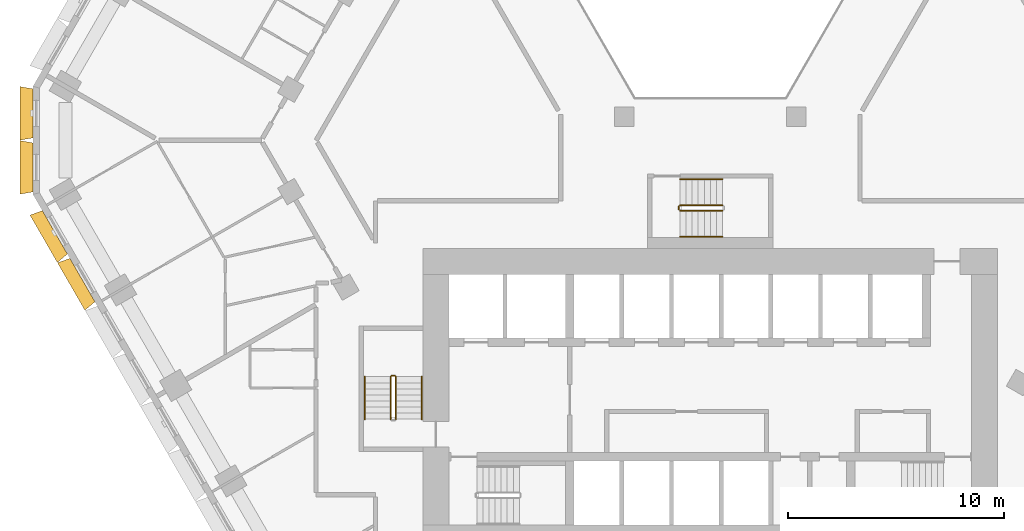
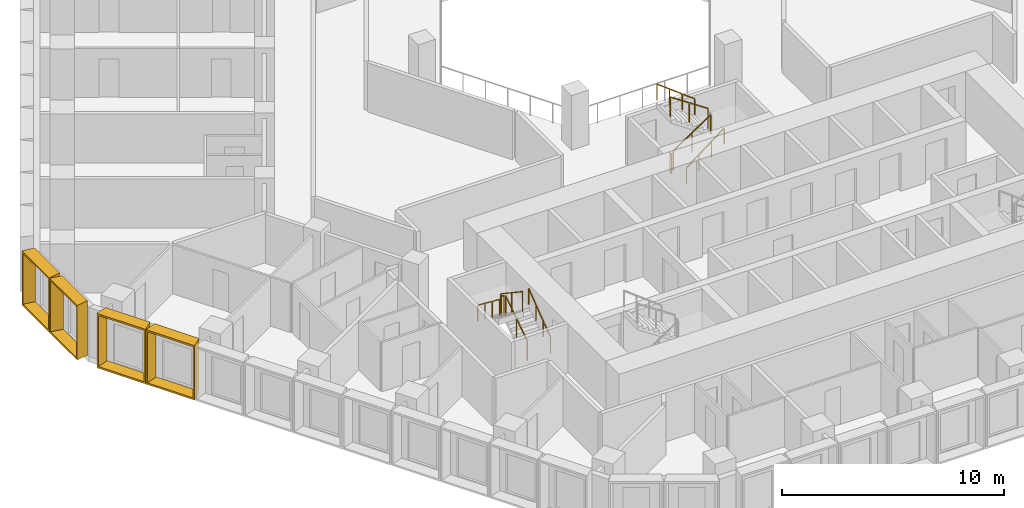
# One storey, part 19 of 21: 10 railings, 4 shading devices.
"""IFC4 building model written with IfcOpenShell, lengths in metres."""

from ifc_helpers import new_model, entity, si_unit, direction, frame, origin, origin_2d, place, context, subcontext, project, spatial, rectangle, extrude, source, transform, mapped, material, type_object, type_shapes, element, save


model = new_model("IFC4")

# Units and contexts
model_context = context("Model", 3, precision=1e-05, world=origin(), true_north=direction((0.0, 1.0)))
body_context = subcontext(model_context, "Body", "Model", "MODEL_VIEW")
ifc_project = project(units=[si_unit("LENGTHUNIT", "METRE"), si_unit("AREAUNIT", "SQUARE_METRE"), si_unit("VOLUMEUNIT", "CUBIC_METRE"), si_unit("PLANEANGLEUNIT", "RADIAN"), si_unit("MASSUNIT", "GRAM", prefix="KILO")], contexts=[model_context])

# Site, building, storey
site_placement = place(None, origin())
site = spatial("IfcSite", under=ifc_project, at=site_placement, CompositionType="ELEMENT")
building_placement = place(site_placement, origin())
building = spatial("IfcBuilding", under=site, at=building_placement, Name="Beryl Residences", CompositionType="ELEMENT")
storey_placement = place(building_placement, frame((0.0, 0.0, 53.39990234375)))
storey = spatial("IfcBuildingStorey", under=building, at=storey_placement, Name="L16", CompositionType="ELEMENT", Elevation=53.39990234375)

# Shading devices
ifc_material_1 = material(Name="Aluminium pale anodised", Category="aluminium")
shading_device_type_1 = type_object("IfcShadingDeviceType", Name="FR250-60A OUTER SKIN frame 600 mm deep, splay 10/10 deg, 2500 x 3000 mm cell", PredefinedType="USERDEFINED", material=ifc_material_1)
cartesian_point_1 = entity("IfcCartesianPoint", [-1.134033203125, 0.0])
cartesian_point_2 = entity("IfcCartesianPoint", [-1.052734375, 0.10009765625])
cartesian_point_3 = entity("IfcCartesianPoint", [-1.23974609375, 0.0])
cartesian_point_4 = entity("IfcCartesianPoint", [-1.158447265625, 0.10009765625])
shared_shape_1 = source(origin(), body_context, "Body", "SweptSolid", [
    entity("IfcExtrudedAreaSolidTapered", entity("IfcArbitraryProfileDefWithVoids", "AREA", None, entity("IfcPolyline", [cartesian_point_1, entity("IfcCartesianPoint", [1.134033203125, 0.0]), entity("IfcCartesianPoint", [1.134033203125, 3.0]), entity("IfcCartesianPoint", [-1.134033203125, 3.0]), cartesian_point_1]), [entity("IfcPolyline", [cartesian_point_2, entity("IfcCartesianPoint", [1.052734375, 0.10009765625]), entity("IfcCartesianPoint", [1.052734375, 2.89990234375]), entity("IfcCartesianPoint", [-1.052734375, 2.89990234375]), cartesian_point_2])]), entity("IfcAxis2Placement3D", entity("IfcCartesianPoint", [0.0, 0.0, 0.0]), entity("IfcDirection", [0.0, 1.0, 0.0]), entity("IfcDirection", [-1.0, 0.0, 0.0])), entity("IfcDirection", [0.0, 0.0, 1.0]), 0.60009765625, entity("IfcArbitraryProfileDefWithVoids", "AREA", None, entity("IfcPolyline", [cartesian_point_3, entity("IfcCartesianPoint", [1.23974609375, 0.0]), entity("IfcCartesianPoint", [1.23974609375, 3.0]), entity("IfcCartesianPoint", [-1.23974609375, 3.0]), cartesian_point_3]), [entity("IfcPolyline", [cartesian_point_4, entity("IfcCartesianPoint", [1.158447265625, 0.10009765625]), entity("IfcCartesianPoint", [1.158447265625, 2.89990234375]), entity("IfcCartesianPoint", [-1.158447265625, 2.89990234375]), cartesian_point_4])])),
])
type_shapes(shading_device_type_1, [shared_shape_1])
for number, where, z_axis, x_axis, name in (
    (1, (-31.35009765625, 1.25, 0.0), (0.0, 0.0, 1.0), (0.0, 1.0, 0.0), "FR250-60A frame L16 NW-SW 1"),
    (2, (-31.35009765625, -1.25, 0.0), (0.0, 0.0, 1.0), (0.0, 1.0, 0.0), "FR250-60A frame L16 NW-SW 2"),
):
    element("IfcShadingDevice", number, at=place(storey_placement, frame(where, z_axis=z_axis, x_axis=x_axis)), inside=storey, type_object=shading_device_type_1, Name=name, ObjectType="OUTER SKIN", PredefinedType="USERDEFINED", context=body_context, shape_type="MappedRepresentation", body=[
        mapped(shared_shape_1, transform((0.0, 0.0, 0.0))),
    ])
ifc_material_2 = material(Name="Aluminium pale anodised", Category="aluminium")
shading_device_type_2 = type_object("IfcShadingDeviceType", Name="FR255-60A OUTER SKIN frame 600 mm deep, splay 10/10 deg, 2550 x 3000 mm cell", PredefinedType="USERDEFINED", material=ifc_material_2)
cartesian_point_5 = entity("IfcCartesianPoint", [-1.158935546875, 0.0])
cartesian_point_6 = entity("IfcCartesianPoint", [-1.077880859375, 0.10009765625])
cartesian_point_7 = entity("IfcCartesianPoint", [-1.264892578125, 0.0])
cartesian_point_8 = entity("IfcCartesianPoint", [-1.18359375, 0.10009765625])
shared_shape_2 = source(origin(), body_context, "Body", "SweptSolid", [
    entity("IfcExtrudedAreaSolidTapered", entity("IfcArbitraryProfileDefWithVoids", "AREA", None, entity("IfcPolyline", [cartesian_point_5, entity("IfcCartesianPoint", [1.158935546875, 0.0]), entity("IfcCartesianPoint", [1.158935546875, 3.0]), entity("IfcCartesianPoint", [-1.158935546875, 3.0]), cartesian_point_5]), [entity("IfcPolyline", [cartesian_point_6, entity("IfcCartesianPoint", [1.077880859375, 0.10009765625]), entity("IfcCartesianPoint", [1.077880859375, 2.89990234375]), entity("IfcCartesianPoint", [-1.077880859375, 2.89990234375]), cartesian_point_6])]), entity("IfcAxis2Placement3D", entity("IfcCartesianPoint", [0.0, 0.0, 0.0]), entity("IfcDirection", [0.0, 1.0, 0.0]), entity("IfcDirection", [-1.0, 0.0, 0.0])), entity("IfcDirection", [0.0, 0.0, 1.0]), 0.60009765625, entity("IfcArbitraryProfileDefWithVoids", "AREA", None, entity("IfcPolyline", [cartesian_point_7, entity("IfcCartesianPoint", [1.264892578125, 0.0]), entity("IfcCartesianPoint", [1.264892578125, 3.0]), entity("IfcCartesianPoint", [-1.264892578125, 3.0]), cartesian_point_7]), [entity("IfcPolyline", [cartesian_point_8, entity("IfcCartesianPoint", [1.18359375, 0.10009765625]), entity("IfcCartesianPoint", [1.18359375, 2.89990234375]), entity("IfcCartesianPoint", [-1.18359375, 2.89990234375]), cartesian_point_8])])),
])
type_shapes(shading_device_type_2, [shared_shape_2])
for number, where, z_axis, x_axis, name in (
    (3, (-30.3359375, -4.2548828125, 0.0), (0.0, 0.0, 1.0), (-0.5, 0.866025403784, 0.0), "FR255-60A frame L16 SW 1"),
    (4, (-29.06005859375, -6.465087890625, 0.0), (0.0, 0.0, 1.0), (-0.5, 0.866025403784, 0.0), "FR255-60A frame L16 SW 2"),
):
    element("IfcShadingDevice", number, at=place(storey_placement, frame(where, z_axis=z_axis, x_axis=x_axis)), inside=storey, type_object=shading_device_type_2, Name=name, ObjectType="OUTER SKIN", PredefinedType="USERDEFINED", context=body_context, shape_type="MappedRepresentation", body=[
        mapped(shared_shape_2, transform((0.0, 0.0, 0.0))),
    ])

# Railings
ifc_material_3 = material(Name="Stainless steel balustrade with glass infill", Category="steel")
railing_type_1 = type_object("IfcRailingType", Name="SG1 stair guard 1100 mm", PredefinedType="GUARDRAIL", material=ifc_material_3)
railing_1_placement = place(storey_placement, frame((-14.550048828125, -12.89990234375, 0.1875)))
element("IfcRailing", 5, at=railing_1_placement, inside=storey, type_object=railing_type_1, Name="L16 ST-2 stair guard 1", PredefinedType="GUARDRAIL", context=body_context, shape_type="SweptSolid", body=[
    extrude(rectangle(XDim=0.048095703125, YDim=0.048095703125, at=origin_2d()), frame((0.0, 0.0, 1.076171875), z_axis=(0.0, 0.830902050051, 0.556418712142), x_axis=(-1.0, 0.0, 0.0)), (0.0, 0.0, 1.0), 2.35888671875),
    extrude(rectangle(XDim=0.0419921875, YDim=0.0419921875, at=origin_2d()), origin(), (0.0, 0.0, 1.0), 1.052001953125),
    extrude(rectangle(XDim=0.0419921875, YDim=0.0419921875, at=origin_2d()), frame((0.0, 0.97998046875, 0.65625)), (0.0, 0.0, 1.0), 1.052001953125),
    extrude(rectangle(XDim=0.0419921875, YDim=0.0419921875, at=origin_2d()), frame((0.0, 1.9599609375, 1.3125)), (0.0, 0.0, 1.0), 1.052001953125),
])
railing_2_placement = place(storey_placement, frame((-14.60009765625, -10.889892578125, 1.5)))
element("IfcRailing", 6, at=railing_2_placement, inside=storey, type_object=railing_type_1, Name="L16 ST-2 stair guard 2", PredefinedType="GUARDRAIL", context=body_context, shape_type="SweptSolid", body=[
    extrude(rectangle(XDim=0.048095703125, YDim=0.048095703125, at=origin_2d()), frame((0.0, 0.0, 1.076171875), z_axis=(-1.0, 0.0, 0.0), x_axis=(0.0, -1.0, 0.0)), (0.0, 0.0, 1.0), 0.14990234375),
    extrude(rectangle(XDim=0.0419921875, YDim=0.0419921875, at=origin_2d()), origin(), (0.0, 0.0, 1.0), 1.052001953125),
    extrude(rectangle(XDim=0.0419921875, YDim=0.0419921875, at=origin_2d()), frame((-0.14990234375, 0.0, 0.0)), (0.0, 0.0, 1.0), 1.052001953125),
])
railing_3_placement = place(storey_placement, frame((-14.800048828125, -10.93994140625, 1.6875)))
element("IfcRailing", 7, at=railing_3_placement, inside=storey, type_object=railing_type_1, Name="L16 ST-2 stair guard 3", PredefinedType="GUARDRAIL", context=body_context, shape_type="SweptSolid", body=[
    extrude(rectangle(XDim=0.048095703125, YDim=0.048095703125, at=origin_2d()), frame((0.0, 0.0, 1.076171875), z_axis=(0.0, -0.830902050051, 0.556418712142), x_axis=(1.0, 0.0, 0.0)), (0.0, 0.0, 1.0), 2.35888671875),
    extrude(rectangle(XDim=0.0419921875, YDim=0.0419921875, at=origin_2d()), origin(), (0.0, 0.0, 1.0), 1.052001953125),
    extrude(rectangle(XDim=0.0419921875, YDim=0.0419921875, at=origin_2d()), frame((0.0, -0.97998046875, 0.65625)), (0.0, 0.0, 1.0), 1.052001953125),
    extrude(rectangle(XDim=0.0419921875, YDim=0.0419921875, at=origin_2d()), frame((0.0, -1.9599609375, 1.3125)), (0.0, 0.0, 1.0), 1.052001953125),
])
railing_4_placement = place(storey_placement, frame((-1.39990234375, -3.25, 0.1875)))
element("IfcRailing", 8, at=railing_4_placement, inside=storey, type_object=railing_type_1, Name="L16 ST-4 stair guard 1", PredefinedType="GUARDRAIL", context=body_context, shape_type="SweptSolid", body=[
    extrude(rectangle(XDim=0.048095703125, YDim=0.048095703125, at=origin_2d()), frame((0.0, 0.0, 1.076171875), z_axis=(0.830902050051, 0.0, 0.556418712142), x_axis=(0.0, 1.0, 0.0)), (0.0, 0.0, 1.0), 2.35888671875),
    extrude(rectangle(XDim=0.0419921875, YDim=0.0419921875, at=origin_2d()), origin(), (0.0, 0.0, 1.0), 1.052001953125),
    extrude(rectangle(XDim=0.0419921875, YDim=0.0419921875, at=origin_2d()), frame((0.97998046875, 0.0, 0.65625)), (0.0, 0.0, 1.0), 1.052001953125),
    extrude(rectangle(XDim=0.0419921875, YDim=0.0419921875, at=origin_2d()), frame((1.9599609375, 0.0, 1.3125)), (0.0, 0.0, 1.0), 1.052001953125),
])
railing_5_placement = place(storey_placement, frame((0.56005859375, -3.0, 1.6875)))
element("IfcRailing", 9, at=railing_5_placement, inside=storey, type_object=railing_type_1, Name="L16 ST-4 stair guard 3", PredefinedType="GUARDRAIL", context=body_context, shape_type="SweptSolid", body=[
    extrude(rectangle(XDim=0.048095703125, YDim=0.048095703125, at=origin_2d()), frame((0.0, 0.0, 1.076171875), z_axis=(-0.830902050051, 0.0, 0.556418712142), x_axis=(0.0, -1.0, 0.0)), (0.0, 0.0, 1.0), 2.35888671875),
    extrude(rectangle(XDim=0.0419921875, YDim=0.0419921875, at=origin_2d()), origin(), (0.0, 0.0, 1.0), 1.052001953125),
    extrude(rectangle(XDim=0.0419921875, YDim=0.0419921875, at=origin_2d()), frame((-0.97998046875, 0.0, 0.65625)), (0.0, 0.0, 1.0), 1.052001953125),
    extrude(rectangle(XDim=0.0419921875, YDim=0.0419921875, at=origin_2d()), frame((-1.9599609375, 0.0, 1.3125)), (0.0, 0.0, 1.0), 1.052001953125),
])
railing_6_placement = place(storey_placement, frame((-1.449951171875, -3.199951171875, 0.0)))
element("IfcRailing", 10, at=railing_6_placement, inside=storey, type_object=railing_type_1, Name="L16 ST-4 stair guard 4", PredefinedType="GUARDRAIL", context=body_context, shape_type="SweptSolid", body=[
    extrude(rectangle(XDim=0.048095703125, YDim=0.048095703125, at=origin_2d()), frame((0.0, 0.0, 1.076171875), z_axis=(0.0, 1.0, 0.0), x_axis=(-1.0, 0.0, 0.0)), (0.0, 0.0, 1.0), 0.14990234375),
    extrude(rectangle(XDim=0.0419921875, YDim=0.0419921875, at=origin_2d()), origin(), (0.0, 0.0, 1.0), 1.052001953125),
    extrude(rectangle(XDim=0.0419921875, YDim=0.0419921875, at=origin_2d()), frame((0.0, 0.14990234375, 0.0)), (0.0, 0.0, 1.0), 1.052001953125),
])
ifc_material_4 = material(Name="Stainless steel handrail", Category="steel")
railing_type_2 = type_object("IfcRailingType", Name="SRL1 stair handrail 900 mm", PredefinedType="HANDRAIL", material=ifc_material_4)
railing_7_placement = place(storey_placement, frame((-13.35009765625, -12.89990234375, 0.1875)))
element("IfcRailing", 11, at=railing_7_placement, inside=storey, type_object=railing_type_2, Name="L16 ST-2 stair handrail 1", PredefinedType="HANDRAIL", context=body_context, shape_type="SweptSolid", body=[
    extrude(rectangle(XDim=0.048095703125, YDim=0.048095703125, at=origin_2d()), frame((0.0, 0.0, 0.8759765625), z_axis=(0.0, 0.794121922505, 0.607758481798), x_axis=(-1.0, 0.0, 0.0)), (0.0, 0.0, 1.0), 2.468017578125),
    extrude(rectangle(XDim=0.0419921875, YDim=0.0419921875, at=origin_2d()), origin(), (0.0, 0.0, 1.0), 0.851806640625),
    extrude(rectangle(XDim=0.0419921875, YDim=0.0419921875, at=origin_2d()), frame((0.0, 0.6533203125, 0.5)), (0.0, 0.0, 1.0), 0.851806640625),
    extrude(rectangle(XDim=0.0419921875, YDim=0.0419921875, at=origin_2d()), frame((0.0, 1.306640625, 1.0)), (0.0, 0.0, 1.0), 0.851806640625),
    extrude(rectangle(XDim=0.0419921875, YDim=0.0419921875, at=origin_2d()), frame((0.0, 1.9599609375, 1.5)), (0.0, 0.0, 1.0), 0.851806640625),
])
railing_8_placement = place(storey_placement, frame((-16.0, -10.93994140625, 1.6875)))
element("IfcRailing", 12, at=railing_8_placement, inside=storey, type_object=railing_type_2, Name="L16 ST-2 stair handrail 2", PredefinedType="HANDRAIL", context=body_context, shape_type="SweptSolid", body=[
    extrude(rectangle(XDim=0.048095703125, YDim=0.048095703125, at=origin_2d()), frame((0.0, 0.0, 0.8759765625), z_axis=(0.0, -0.794121922505, 0.607758481798), x_axis=(1.0, 0.0, 0.0)), (0.0, 0.0, 1.0), 2.468017578125),
    extrude(rectangle(XDim=0.0419921875, YDim=0.0419921875, at=origin_2d()), origin(), (0.0, 0.0, 1.0), 0.851806640625),
    extrude(rectangle(XDim=0.0419921875, YDim=0.0419921875, at=origin_2d()), frame((0.0, -0.6533203125, 0.5)), (0.0, 0.0, 1.0), 0.851806640625),
    extrude(rectangle(XDim=0.0419921875, YDim=0.0419921875, at=origin_2d()), frame((0.0, -1.306640625, 1.0)), (0.0, 0.0, 1.0), 0.851806640625),
    extrude(rectangle(XDim=0.0419921875, YDim=0.0419921875, at=origin_2d()), frame((0.0, -1.9599609375, 1.5)), (0.0, 0.0, 1.0), 0.851806640625),
])
railing_9_placement = place(storey_placement, frame((-1.39990234375, -4.449951171875, 0.1875)))
element("IfcRailing", 13, at=railing_9_placement, inside=storey, type_object=railing_type_2, Name="L16 ST-4 stair handrail 1", PredefinedType="HANDRAIL", context=body_context, shape_type="SweptSolid", body=[
    extrude(rectangle(XDim=0.048095703125, YDim=0.048095703125, at=origin_2d()), frame((0.0, 0.0, 0.8759765625), z_axis=(0.794121922505, 0.0, 0.607758481798), x_axis=(0.0, 1.0, 0.0)), (0.0, 0.0, 1.0), 2.468017578125),
    extrude(rectangle(XDim=0.0419921875, YDim=0.0419921875, at=origin_2d()), origin(), (0.0, 0.0, 1.0), 0.851806640625),
    extrude(rectangle(XDim=0.0419921875, YDim=0.0419921875, at=origin_2d()), frame((0.6533203125, 0.0, 0.5)), (0.0, 0.0, 1.0), 0.851806640625),
    extrude(rectangle(XDim=0.0419921875, YDim=0.0419921875, at=origin_2d()), frame((1.306640625, 0.0, 1.0)), (0.0, 0.0, 1.0), 0.851806640625),
    extrude(rectangle(XDim=0.0419921875, YDim=0.0419921875, at=origin_2d()), frame((1.9599609375, 0.0, 1.5)), (0.0, 0.0, 1.0), 0.851806640625),
])
railing_10_placement = place(storey_placement, frame((0.56005859375, -1.800048828125, 1.6875)))
element("IfcRailing", 14, at=railing_10_placement, inside=storey, type_object=railing_type_2, Name="L16 ST-4 stair handrail 2", PredefinedType="HANDRAIL", context=body_context, shape_type="SweptSolid", body=[
    extrude(rectangle(XDim=0.048095703125, YDim=0.048095703125, at=origin_2d()), frame((0.0, 0.0, 0.8759765625), z_axis=(-0.794121922505, 0.0, 0.607758481798), x_axis=(0.0, -1.0, 0.0)), (0.0, 0.0, 1.0), 2.468017578125),
    extrude(rectangle(XDim=0.0419921875, YDim=0.0419921875, at=origin_2d()), origin(), (0.0, 0.0, 1.0), 0.851806640625),
    extrude(rectangle(XDim=0.0419921875, YDim=0.0419921875, at=origin_2d()), frame((-0.6533203125, 0.0, 0.5)), (0.0, 0.0, 1.0), 0.851806640625),
    extrude(rectangle(XDim=0.0419921875, YDim=0.0419921875, at=origin_2d()), frame((-1.306640625, 0.0, 1.0)), (0.0, 0.0, 1.0), 0.851806640625),
    extrude(rectangle(XDim=0.0419921875, YDim=0.0419921875, at=origin_2d()), frame((-1.9599609375, 0.0, 1.5)), (0.0, 0.0, 1.0), 0.851806640625),
])

save(model, "model.ifc")
